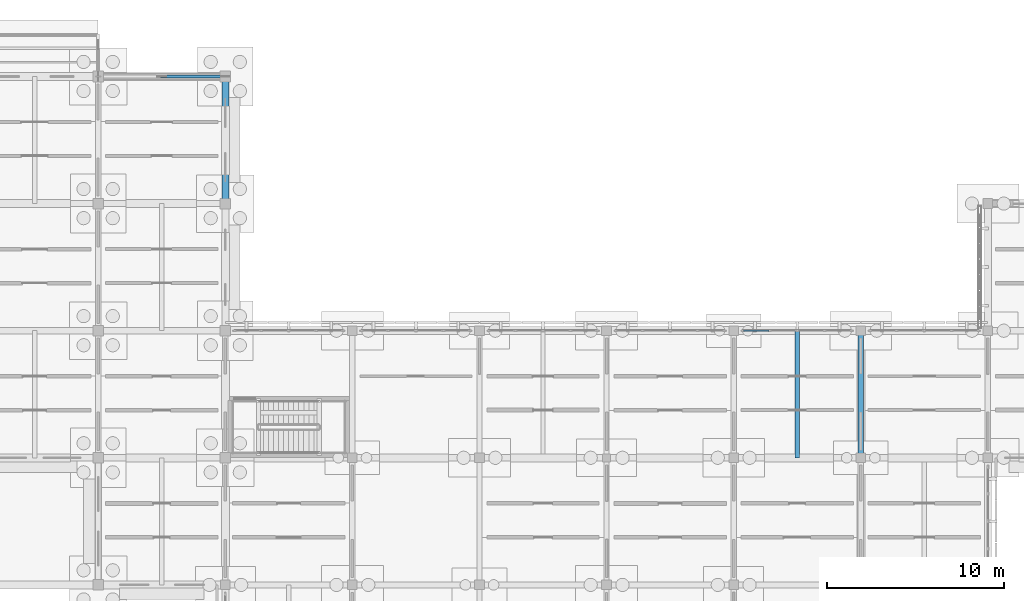
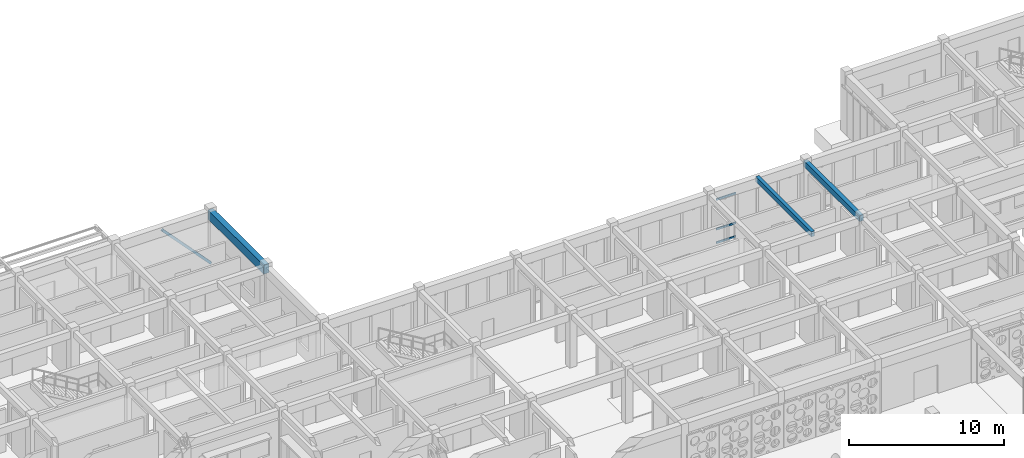
# One storey, part 33 of 111: 4 members, 3 beams, 1 element without a shape of its own.
"""IFC4 building model written with IfcOpenShell, lengths in metres."""

from ifc_helpers import new_model, si_unit, direction, frame, origin, origin_2d, place, context, subcontext, project, spatial, rectangle, hollow_rectangle, extrude, material, material_profile, profile_set, type_object, element, aggregate, save


model = new_model("IFC4")

# Units and contexts
model_context = context("Model", 3, precision=1e-05, world=origin(), true_north=direction((0.0, 1.0)))
body_context = subcontext(model_context, "Body", "Model", "MODEL_VIEW")
ifc_project = project(units=[si_unit("LENGTHUNIT", "METRE"), si_unit("AREAUNIT", "SQUARE_METRE"), si_unit("VOLUMEUNIT", "CUBIC_METRE"), si_unit("PLANEANGLEUNIT", "RADIAN"), si_unit("MASSUNIT", "GRAM", prefix="KILO")], contexts=[model_context])

# Site, building, storey
site_placement = place(None, origin())
site = spatial("IfcSite", under=ifc_project, at=site_placement, CompositionType="ELEMENT")
building_placement = place(site_placement, origin())
building = spatial("IfcBuilding", under=site, at=building_placement, Name="Aldebral Square Health Centre", CompositionType="ELEMENT")
storey_placement = place(building_placement, origin())
storey = spatial("IfcBuildingStorey", under=building, at=storey_placement, Name="L00", CompositionType="ELEMENT", Elevation=0.0)

# Beams
ifc_material_1 = material(Name="Concrete C40/50", Category="concrete")
ifc_material_profile_1 = material_profile(ifc_material_1, rectangle(XDim=0.300048828125, YDim=0.449951171875, at=origin_2d()), Name="RC 300x450")
ifc_profile_set_1 = profile_set([ifc_material_profile_1], Name="Concrete C40/50")
beam_type_1 = type_object("IfcBeamType", Name="BM-B5", PredefinedType="BEAM", material=ifc_profile_set_1)
beam_1_placement = place(storey_placement, frame((100.800048828125, 93.60009765625, 3.9951171875), z_axis=(0.0, 1.0, 0.0), x_axis=(-1.0, 0.0, 0.0)))
element("IfcBeam", 1, at=beam_1_placement, inside=storey, type_object=beam_type_1, Name="L00 Y-beam G15/14-15", PredefinedType="BEAM", context=body_context, shape_type="SweptSolid", body=[
    extrude(rectangle(XDim=0.300048828125, YDim=0.449951171875, at=origin_2d()), origin(), (0.0, 0.0, 1.0), 7.199951171875),
])
ifc_material_profile_2 = material_profile(ifc_material_1, rectangle(XDim=0.25, YDim=0.39990234375, at=origin_2d()), Name="RC 250x400")
ifc_profile_set_2 = profile_set([ifc_material_profile_2], Name="Concrete C40/50")
beam_type_2 = type_object("IfcBeamType", Name="BM-B6", PredefinedType="JOIST", material=ifc_profile_set_2)
beam_2_placement = place(storey_placement, frame((97.199951171875, 93.60009765625, 4.02001953125), z_axis=(0.0, 1.0, 0.0), x_axis=(-1.0, 0.0, 0.0)))
element("IfcBeam", 2, at=beam_2_placement, inside=storey, type_object=beam_type_2, Name="L00 secondary rib 14.14", PredefinedType="JOIST", context=body_context, shape_type="SweptSolid", body=[
    extrude(rectangle(XDim=0.25, YDim=0.39990234375, at=origin_2d()), origin(), (0.0, 0.0, 1.0), 7.199951171875),
])
ifc_material_profile_3 = material_profile(ifc_material_1, rectangle(XDim=0.39990234375, YDim=0.699951171875, at=origin_2d()), Name="RC 400x700")
ifc_profile_set_3 = profile_set([ifc_material_profile_3], Name="Concrete C40/50")
beam_type_3 = type_object("IfcBeamType", Name="BM-G3", PredefinedType="T_BEAM", material=ifc_profile_set_3)
beam_3_placement = place(storey_placement, frame((64.800048828125, 108.0, 3.8701171875), z_axis=(0.0, 1.0, 0.0), x_axis=(-1.0, 0.0, 0.0)))
element("IfcBeam", 3, at=beam_3_placement, inside=storey, type_object=beam_type_3, Name="L00 Y-beam G10/16-17", PredefinedType="T_BEAM", context=body_context, shape_type="SweptSolid", body=[
    extrude(rectangle(XDim=0.39990234375, YDim=0.699951171875, at=origin_2d()), origin(), (0.0, 0.0, 1.0), 7.199951171875),
])

# Curtain wall, members
ifc_material_2 = material(Name="Aluminium and low-E solar glass", Category="aluminium")
curtain_wall_type = type_object("IfcCurtainWallType", Name="CW-HALL-SYS", PredefinedType="USERDEFINED", material=ifc_material_2)
curtain_wall_placement = place(storey_placement, origin())
curtain_wall = element("IfcCurtainWall", 4, at=curtain_wall_placement, inside=storey, type_object=curtain_wall_type, Name="L00 V1 hall curtain wall L00-V1-13-13-N", ObjectType="HALL_CURTAIN_WALL", PredefinedType="USERDEFINED")
ifc_material_3 = material(Name="Anodised aluminium transom", Category="aluminium")
ifc_material_profile_4 = material_profile(ifc_material_3, hollow_rectangle(XDim=0.074951171875, YDim=0.14990234375, WallThickness=0.00390625, at=origin_2d()), Name="CWT 75x150x4")
ifc_profile_set_4 = profile_set([ifc_material_profile_4], Name="Anodised aluminium transom")
member_type_1 = type_object("IfcMemberType", Name="CWT-STD", PredefinedType="USERDEFINED", material=ifc_profile_set_4)
member_1_placement = place(storey_placement, frame((95.6025390625, 100.800048828125, 0.03759765625), z_axis=(-1.0, 0.0, 0.0), x_axis=(0.0, -1.0, 0.0)))
member_1 = element("IfcMember", 5, at=member_1_placement, type_object=member_type_1, Name="CW2 transom 4.1", ObjectType="TRANSOM", PredefinedType="USERDEFINED", context=body_context, shape_type="SweptSolid", body=[
    extrude(hollow_rectangle(XDim=0.074951171875, YDim=0.14990234375, WallThickness=0.00390625, at=origin_2d()), origin(), (0.0, 0.0, 1.0), 1.447509765625),
])
member_2_placement = place(storey_placement, frame((95.6025390625, 100.800048828125, 1.10009765625), z_axis=(-1.0, 0.0, 0.0), x_axis=(0.0, -1.0, 0.0)))
member_2 = element("IfcMember", 6, at=member_2_placement, type_object=member_type_1, Name="CW2 transom 4.2", ObjectType="TRANSOM", PredefinedType="USERDEFINED", context=body_context, shape_type="SweptSolid", body=[
    extrude(hollow_rectangle(XDim=0.074951171875, YDim=0.14990234375, WallThickness=0.00390625, at=origin_2d()), origin(), (0.0, 0.0, 1.0), 1.447509765625),
])
member_3_placement = place(storey_placement, frame((95.6025390625, 100.800048828125, 3.4326171875), z_axis=(-1.0, 0.0, 0.0), x_axis=(0.0, -1.0, 0.0)))
member_3 = element("IfcMember", 7, at=member_3_placement, type_object=member_type_1, Name="CW2 transom 4.3", ObjectType="TRANSOM", PredefinedType="USERDEFINED", context=body_context, shape_type="SweptSolid", body=[
    extrude(hollow_rectangle(XDim=0.074951171875, YDim=0.14990234375, WallThickness=0.00390625, at=origin_2d()), origin(), (0.0, 0.0, 1.0), 1.447509765625),
])
aggregate(curtain_wall, [member_1, member_2, member_3])

# Member
ifc_material_4 = material(Name="Steel S355JR", Category="steel")
ifc_material_profile_5 = material_profile(ifc_material_4, hollow_rectangle(XDim=0.179931640625, YDim=0.179931640625, WallThickness=0.010009765625, at=origin_2d()), Name="180x180x10 SHS")
ifc_profile_set_5 = profile_set([ifc_material_profile_5], Name="Steel S355JR")
member_type_2 = type_object("IfcMemberType", Name="MEM-BR1", PredefinedType="BRACE", material=ifc_profile_set_5)
member_4_placement = place(storey_placement, frame((64.800048828125, 115.199951171875, 0.0), z_axis=(-0.683479995784, 0.0, 0.729969242751), x_axis=(0.0, -1.0, 0.0)))
element("IfcMember", 8, at=member_4_placement, inside=storey, type_object=member_type_2, Name="L00 exterior north chevron brace R 9", PredefinedType="BRACE", context=body_context, shape_type="SweptSolid", body=[
    extrude(hollow_rectangle(XDim=0.179931640625, YDim=0.179931640625, WallThickness=0.010009765625, at=origin_2d()), origin(), (0.0, 0.0, 1.0), 5.267333984375),
])

save(model, "model.ifc")
